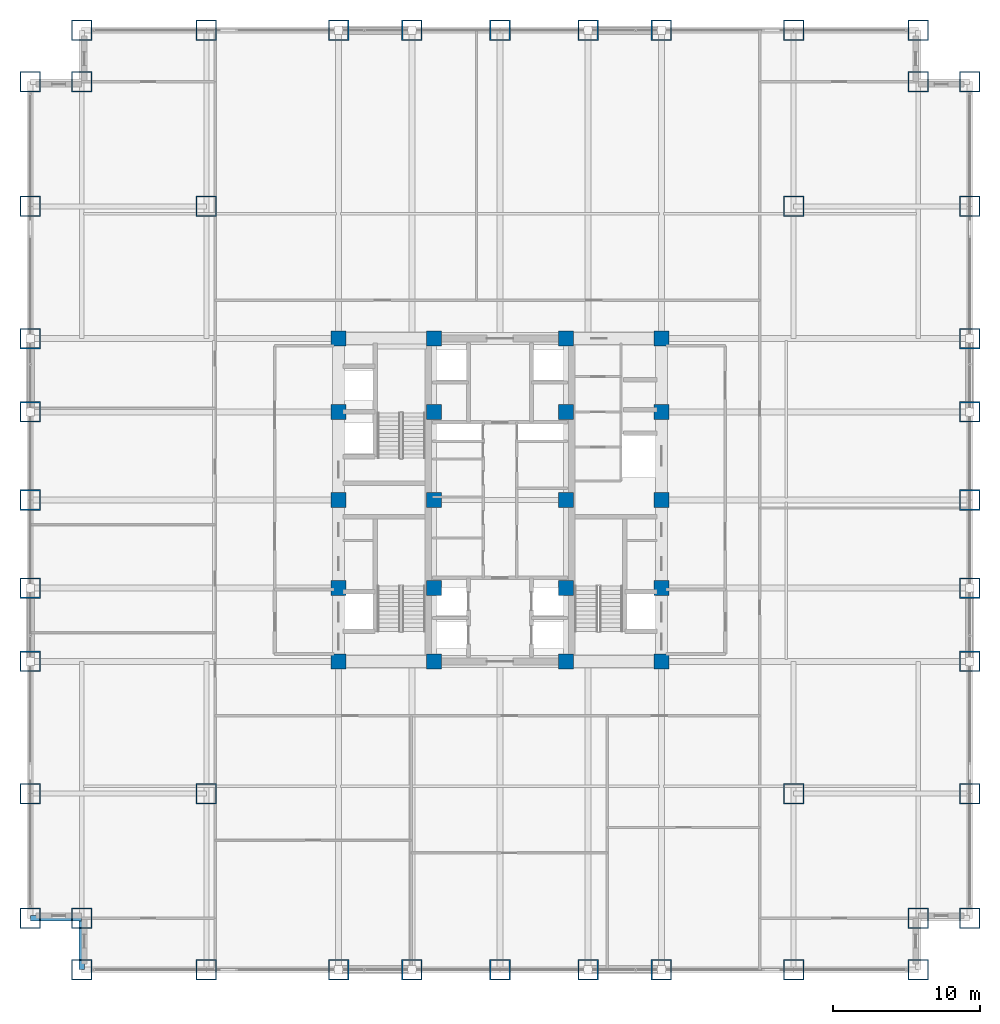
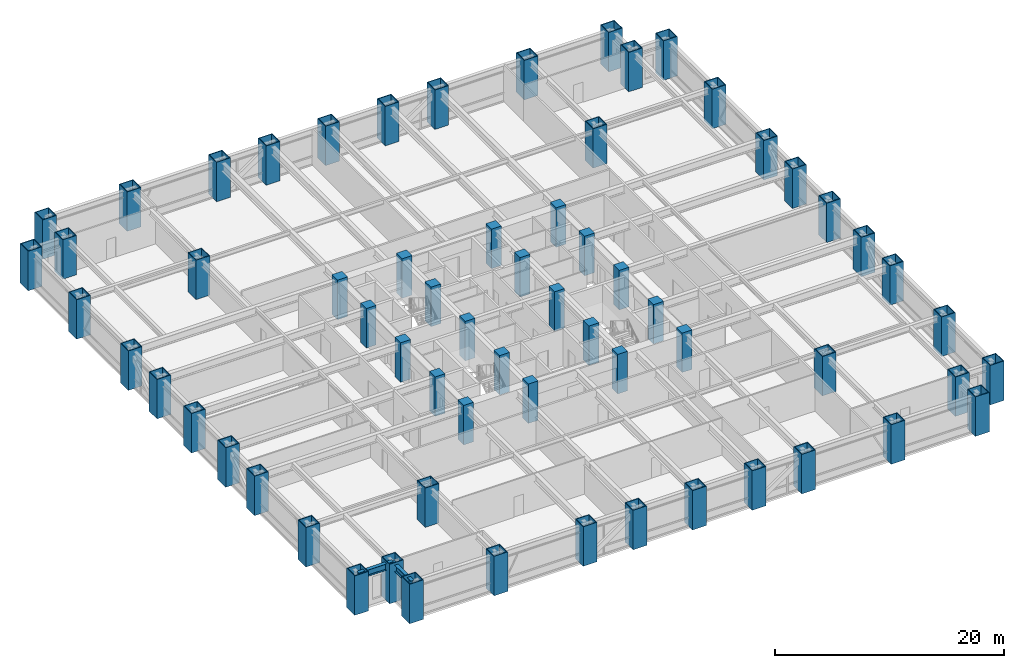
# One storey, part 1 of 28: 64 columns, 2 beams.
"""IFC4 building model written with IfcOpenShell, lengths in metres."""

from ifc_helpers import new_model, si_unit, direction, frame, origin, origin_2d, place, context, subcontext, project, spatial, rectangle, hollow_rectangle, i_section, extrude, source, transform, mapped, material, material_profile, profile_set, type_object, element, save


model = new_model("IFC4")

# Units and contexts
model_context = context("Model", 3, precision=1e-05, world=origin(), true_north=direction((0.0, 1.0)))
body_context = subcontext(model_context, "Body", "Model", "MODEL_VIEW")
ifc_project = project(units=[si_unit("LENGTHUNIT", "METRE"), si_unit("AREAUNIT", "SQUARE_METRE"), si_unit("VOLUMEUNIT", "CUBIC_METRE"), si_unit("PLANEANGLEUNIT", "RADIAN"), si_unit("MASSUNIT", "GRAM", prefix="KILO")], contexts=[model_context])

# Site, building, storey
site_placement = place(None, origin())
site = spatial("IfcSite", under=ifc_project, at=site_placement, CompositionType="ELEMENT")
building_placement = place(site_placement, origin())
building = spatial("IfcBuilding", under=site, at=building_placement, Name="Khorayat Bourse Tower", CompositionType="ELEMENT")
storey_placement = place(building_placement, frame((0.0, 0.0, 57.800048828125)))
storey = spatial("IfcBuildingStorey", under=building, at=storey_placement, Name="L12", CompositionType="ELEMENT", Elevation=57.800048828125)

# Columns
ifc_material_1 = material(Name="Steel EN 10025-4 S460M", Category="steel")
ifc_material_profile_1 = material_profile(ifc_material_1, hollow_rectangle(XDim=1.39990234375, YDim=1.39990234375, WallThickness=0.074951171875, at=origin_2d()), Name="BOX 1400x1400x75")
ifc_profile_set_1 = profile_set([ifc_material_profile_1], Name="Steel EN 10025-4 S460M")
column_type_1 = type_object("IfcColumnType", Name="COL-TUBE-1400", PredefinedType="COLUMN", material=ifc_profile_set_1)
shared_shape_1 = source(origin(), body_context, "Body", "SweptSolid", [
    extrude(hollow_rectangle(XDim=1.39990234375, YDim=1.39990234375, WallThickness=0.074951171875, at=origin_2d()), origin(), (0.0, 0.0, 1.0), 4.199951171875),
])
for number, where, z_axis, x_axis, name in (
    (1, (-32.0, -28.5, 0.0), (0.0, 0.0, 1.0), (1.0, 0.0, 0.0), "L12 Column 001"),
    (2, (-32.0, -20.0, 0.0), (0.0, 0.0, 1.0), (1.0, 0.0, 0.0), "L12 Column 002"),
    (3, (-32.0, -11.0, 0.0), (0.0, 0.0, 1.0), (1.0, 0.0, 0.0), "L12 Column 003"),
    (4, (-32.0, -6.0, 0.0), (0.0, 0.0, 1.0), (1.0, 0.0, 0.0), "L12 Column 004"),
    (5, (-32.0, 0.0, 0.0), (0.0, 0.0, 1.0), (1.0, 0.0, 0.0), "L12 Column 005"),
    (6, (-32.0, 6.0, 0.0), (0.0, 0.0, 1.0), (1.0, 0.0, 0.0), "L12 Column 006"),
    (7, (-32.0, 11.0, 0.0), (0.0, 0.0, 1.0), (1.0, 0.0, 0.0), "L12 Column 007"),
    (8, (-32.0, 20.0, 0.0), (0.0, 0.0, 1.0), (1.0, 0.0, 0.0), "L12 Column 008"),
    (9, (-32.0, 28.5, 0.0), (0.0, 0.0, 1.0), (1.0, 0.0, 0.0), "L12 Column 009"),
    (10, (-28.5, -32.0, 0.0), (0.0, 0.0, 1.0), (1.0, 0.0, 0.0), "L12 Column 010"),
    (11, (-28.5, -28.5, 0.0), (0.0, 0.0, 1.0), (1.0, 0.0, 0.0), "L12 Column 011"),
    (12, (-28.5, 28.5, 0.0), (0.0, 0.0, 1.0), (1.0, 0.0, 0.0), "L12 Column 012"),
    (13, (-28.5, 32.0, 0.0), (0.0, 0.0, 1.0), (1.0, 0.0, 0.0), "L12 Column 013"),
    (14, (-20.0, -32.0, 0.0), (0.0, 0.0, 1.0), (1.0, 0.0, 0.0), "L12 Column 014"),
    (15, (-20.0, -20.0, 0.0), (0.0, 0.0, 1.0), (1.0, 0.0, 0.0), "L12 Column 015"),
    (16, (-20.0, 20.0, 0.0), (0.0, 0.0, 1.0), (1.0, 0.0, 0.0), "L12 Column 016"),
    (17, (-20.0, 32.0, 0.0), (0.0, 0.0, 1.0), (1.0, 0.0, 0.0), "L12 Column 017"),
    (18, (-11.0, -32.0, 0.0), (0.0, 0.0, 1.0), (1.0, 0.0, 0.0), "L12 Column 018"),
    (19, (-11.0, 32.0, 0.0), (0.0, 0.0, 1.0), (1.0, 0.0, 0.0), "L12 Column 024"),
    (20, (-6.0, -32.0, 0.0), (0.0, 0.0, 1.0), (1.0, 0.0, 0.0), "L12 Column 025"),
    (21, (-6.0, 32.0, 0.0), (0.0, 0.0, 1.0), (1.0, 0.0, 0.0), "L12 Column 026"),
    (22, (0.0, -32.0, 0.0), (0.0, 0.0, 1.0), (1.0, 0.0, 0.0), "L12 Column 032"),
    (23, (0.0, 32.0, 0.0), (0.0, 0.0, 1.0), (1.0, 0.0, 0.0), "L12 Column 033"),
    (24, (6.0, -32.0, 0.0), (0.0, 0.0, 1.0), (1.0, 0.0, 0.0), "L12 Column 039"),
    (25, (6.0, 32.0, 0.0), (0.0, 0.0, 1.0), (1.0, 0.0, 0.0), "L12 Column 040"),
    (26, (11.0, -32.0, 0.0), (0.0, 0.0, 1.0), (1.0, 0.0, 0.0), "L12 Column 041"),
    (27, (11.0, 32.0, 0.0), (0.0, 0.0, 1.0), (1.0, 0.0, 0.0), "L12 Column 047"),
    (28, (20.0, -32.0, 0.0), (0.0, 0.0, 1.0), (1.0, 0.0, 0.0), "L12 Column 048"),
    (29, (20.0, -20.0, 0.0), (0.0, 0.0, 1.0), (1.0, 0.0, 0.0), "L12 Column 049"),
    (30, (20.0, 20.0, 0.0), (0.0, 0.0, 1.0), (1.0, 0.0, 0.0), "L12 Column 050"),
    (31, (20.0, 32.0, 0.0), (0.0, 0.0, 1.0), (1.0, 0.0, 0.0), "L12 Column 051"),
    (32, (28.5, -32.0, 0.0), (0.0, 0.0, 1.0), (1.0, 0.0, 0.0), "L12 Column 052"),
    (33, (28.5, -28.5, 0.0), (0.0, 0.0, 1.0), (1.0, 0.0, 0.0), "L12 Column 053"),
    (34, (28.5, 28.5, 0.0), (0.0, 0.0, 1.0), (1.0, 0.0, 0.0), "L12 Column 054"),
    (35, (28.5, 32.0, 0.0), (0.0, 0.0, 1.0), (1.0, 0.0, 0.0), "L12 Column 055"),
    (36, (32.0, -28.5, 0.0), (0.0, 0.0, 1.0), (1.0, 0.0, 0.0), "L12 Column 056"),
    (37, (32.0, -20.0, 0.0), (0.0, 0.0, 1.0), (1.0, 0.0, 0.0), "L12 Column 057"),
    (38, (32.0, -11.0, 0.0), (0.0, 0.0, 1.0), (1.0, 0.0, 0.0), "L12 Column 058"),
    (39, (32.0, -6.0, 0.0), (0.0, 0.0, 1.0), (1.0, 0.0, 0.0), "L12 Column 059"),
    (40, (32.0, 0.0, 0.0), (0.0, 0.0, 1.0), (1.0, 0.0, 0.0), "L12 Column 060"),
    (41, (32.0, 6.0, 0.0), (0.0, 0.0, 1.0), (1.0, 0.0, 0.0), "L12 Column 061"),
    (42, (32.0, 11.0, 0.0), (0.0, 0.0, 1.0), (1.0, 0.0, 0.0), "L12 Column 062"),
    (43, (32.0, 20.0, 0.0), (0.0, 0.0, 1.0), (1.0, 0.0, 0.0), "L12 Column 063"),
    (44, (32.0, 28.5, 0.0), (0.0, 0.0, 1.0), (1.0, 0.0, 0.0), "L12 Column 064"),
):
    element("IfcColumn", number, at=place(storey_placement, frame(where, z_axis=z_axis, x_axis=x_axis)), inside=storey, type_object=column_type_1, Name=name, PredefinedType="COLUMN", context=body_context, shape_type="MappedRepresentation", body=[
        mapped(shared_shape_1, transform((0.0, 0.0, 0.0), scale=1.0)),
    ])
ifc_material_2 = material(Name="Concrete C72/90", Category="concrete")
ifc_material_profile_2 = material_profile(ifc_material_2, rectangle(XDim=1.0, YDim=1.0, at=origin_2d()), Name="RC 1000x1000")
ifc_profile_set_2 = profile_set([ifc_material_profile_2], Name="Concrete C72/90")
column_type_2 = type_object("IfcColumnType", Name="COL-CORE-1000", PredefinedType="COLUMN", material=ifc_profile_set_2)
shared_shape_2 = source(origin(), body_context, "Body", "SweptSolid", [
    extrude(rectangle(XDim=1.0, YDim=1.0, at=origin_2d()), origin(), (0.0, 0.0, 1.0), 4.199951171875),
])
for number, where, z_axis, x_axis, name in (
    (45, (-11.0, -11.0, 0.0), (0.0, 0.0, 1.0), (1.0, 0.0, 0.0), "L12 Column 019"),
    (46, (-11.0, -6.0, 0.0), (0.0, 0.0, 1.0), (1.0, 0.0, 0.0), "L12 Column 020"),
    (47, (-11.0, 0.0, 0.0), (0.0, 0.0, 1.0), (1.0, 0.0, 0.0), "L12 Column 021"),
    (48, (-11.0, 6.0, 0.0), (0.0, 0.0, 1.0), (1.0, 0.0, 0.0), "L12 Column 022"),
    (49, (-11.0, 11.0, 0.0), (0.0, 0.0, 1.0), (1.0, 0.0, 0.0), "L12 Column 023"),
    (50, (-4.5, -11.0, 0.0), (0.0, 0.0, 1.0), (1.0, 0.0, 0.0), "L12 Column 027"),
    (51, (-4.5, -6.0, 0.0), (0.0, 0.0, 1.0), (1.0, 0.0, 0.0), "L12 Column 028"),
    (52, (-4.5, 0.0, 0.0), (0.0, 0.0, 1.0), (1.0, 0.0, 0.0), "L12 Column 029"),
    (53, (-4.5, 6.0, 0.0), (0.0, 0.0, 1.0), (1.0, 0.0, 0.0), "L12 Column 030"),
    (54, (-4.5, 11.0, 0.0), (0.0, 0.0, 1.0), (1.0, 0.0, 0.0), "L12 Column 031"),
    (55, (4.5, -11.0, 0.0), (0.0, 0.0, 1.0), (1.0, 0.0, 0.0), "L12 Column 034"),
    (56, (4.5, -6.0, 0.0), (0.0, 0.0, 1.0), (1.0, 0.0, 0.0), "L12 Column 035"),
    (57, (4.5, 0.0, 0.0), (0.0, 0.0, 1.0), (1.0, 0.0, 0.0), "L12 Column 036"),
    (58, (4.5, 6.0, 0.0), (0.0, 0.0, 1.0), (1.0, 0.0, 0.0), "L12 Column 037"),
    (59, (4.5, 11.0, 0.0), (0.0, 0.0, 1.0), (1.0, 0.0, 0.0), "L12 Column 038"),
    (60, (11.0, -11.0, 0.0), (0.0, 0.0, 1.0), (1.0, 0.0, 0.0), "L12 Column 042"),
    (61, (11.0, -6.0, 0.0), (0.0, 0.0, 1.0), (1.0, 0.0, 0.0), "L12 Column 043"),
    (62, (11.0, 0.0, 0.0), (0.0, 0.0, 1.0), (1.0, 0.0, 0.0), "L12 Column 044"),
    (63, (11.0, 6.0, 0.0), (0.0, 0.0, 1.0), (1.0, 0.0, 0.0), "L12 Column 045"),
    (64, (11.0, 11.0, 0.0), (0.0, 0.0, 1.0), (1.0, 0.0, 0.0), "L12 Column 046"),
):
    element("IfcColumn", number, at=place(storey_placement, frame(where, z_axis=z_axis, x_axis=x_axis)), inside=storey, type_object=column_type_2, Name=name, PredefinedType="COLUMN", context=body_context, shape_type="MappedRepresentation", body=[
        mapped(shared_shape_2, transform((0.0, 0.0, 0.0), scale=1.0)),
    ])

# Beams
ifc_material_3 = material(Name="Steel ASTM A992 Grade 50", Category="steel")
ifc_material_profile_3 = material_profile(ifc_material_3, i_section(OverallWidth=0.35498046875, OverallDepth=0.695068359375, WebThickness=0.015380859375, FlangeThickness=0.02490234375, FilletRadius=0.01806640625, at=origin_2d()), Name="W690X217")
ifc_profile_set_3 = profile_set([ifc_material_profile_3], Name="Steel ASTM A992 Grade 50")
beam_type = type_object("IfcBeamType", Name="BM-SPAN-690", PredefinedType="SPANDREL", material=ifc_profile_set_3)
shared_shape_3 = source(origin(), body_context, "Body", "SweptSolid", [
    extrude(i_section(OverallWidth=0.35498046875, OverallDepth=0.695068359375, WebThickness=0.015380859375, FlangeThickness=0.02490234375, FilletRadius=0.01806640625, at=origin_2d()), origin(), (0.0, 0.0, 1.0), 3.5),
])
for number, where, z_axis, x_axis, name in (
    (65, (-32.0, -28.5, 3.592529296875), (1.0, 0.0, 0.0), (0.0, 1.0, 0.0), "L12 BM-SPAN-690 BM-L12-SPN-062"),
    (66, (-28.5, -32.0, 3.592529296875), (0.0, 1.0, 0.0), (-1.0, 0.0, 0.0), "L12 BM-SPAN-690 BM-L12-SPN-063"),
):
    element("IfcBeam", number, at=place(storey_placement, frame(where, z_axis=z_axis, x_axis=x_axis)), inside=storey, type_object=beam_type, Name=name, PredefinedType="SPANDREL", context=body_context, shape_type="MappedRepresentation", body=[
        mapped(shared_shape_3, transform((0.0, 0.0, 0.0), scale=1.0)),
    ])

save(model, "model.ifc")
